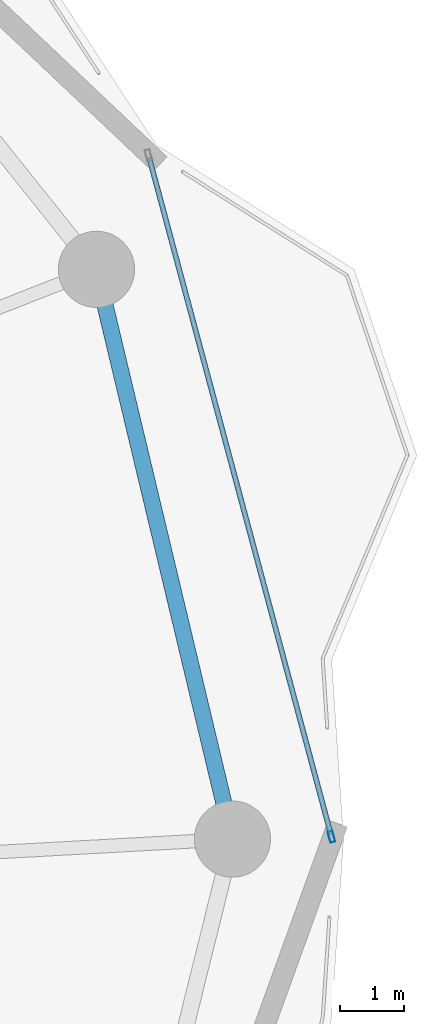
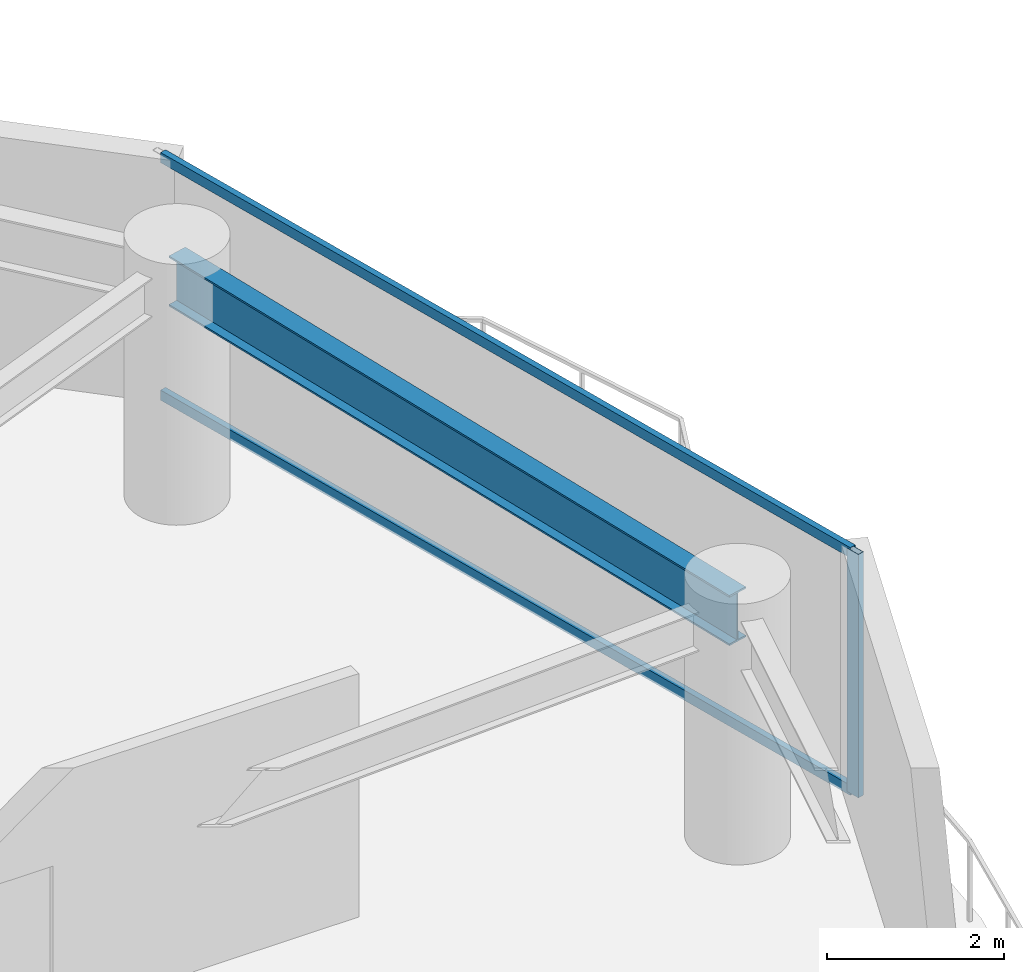
# One storey, part 15 of 28: 3 members, 1 beam, 1 element without a shape of its own.
"""IFC4 building model written with IfcOpenShell, lengths in metres."""

from ifc_helpers import new_model, si_unit, direction, frame, origin, origin_2d, place, context, subcontext, project, spatial, hollow_rectangle, i_section, extrude, material, layer, layer_set, material_profile, profile_set, type_object, element, aggregate, save


model = new_model("IFC4")

# Units and contexts
model_context = context("Model", 3, precision=1e-05, world=origin(), true_north=direction((0.0, 1.0)))
body_context = subcontext(model_context, "Body", "Model", "MODEL_VIEW")
ifc_project = project(units=[si_unit("LENGTHUNIT", "METRE"), si_unit("AREAUNIT", "SQUARE_METRE"), si_unit("VOLUMEUNIT", "CUBIC_METRE"), si_unit("PLANEANGLEUNIT", "RADIAN"), si_unit("MASSUNIT", "GRAM", prefix="KILO")], contexts=[model_context])

# Site, building, storey
site_placement = place(None, origin())
site = spatial("IfcSite", under=ifc_project, at=site_placement, CompositionType="ELEMENT")
building_placement = place(site_placement, origin())
building = spatial("IfcBuilding", under=site, at=building_placement, Name="Kazevale Care Tower and Concert Hall", CompositionType="ELEMENT")
storey_placement = place(building_placement, frame((0.0, 0.0, 138.60009765625)))
storey = spatial("IfcBuildingStorey", under=building, at=storey_placement, Name="L36", CompositionType="ELEMENT", Elevation=138.60009765625)

# Curtain wall, members
ifc_material_1 = material(Name="Aluminium 6063-T6 and Low-E Glass", Category="aluminium")
ifc_layer = layer(ifc_material_1, 0.179931640625)
ifc_layer_set = layer_set([ifc_layer], Name="Aluminium 6063-T6 and Low-E Glass")
curtain_wall_type = type_object("IfcCurtainWallType", Name="Waist & Upper Residential Curtain Wall CW-4", PredefinedType="NOTDEFINED", material=ifc_layer_set)
curtain_wall_placement = place(storey_placement, origin())
curtain_wall = element("IfcCurtainWall", 1, at=curtain_wall_placement, inside=storey, type_object=curtain_wall_type, Name="cw:L36:f18", PredefinedType="NOTDEFINED")
ifc_material_2 = material(Name="Aluminium 6063-T6", Category="aluminium")
ifc_material_profile_1 = material_profile(ifc_material_2, hollow_rectangle(XDim=0.080078125, YDim=0.179931640625, WallThickness=0.0048828125, at=origin_2d()), Name="ALU80x180x5")
ifc_profile_set_1 = profile_set([ifc_material_profile_1], Name="Aluminium 6063-T6")
member_type_1 = type_object("IfcMemberType", Name="CW-4 Mullion ALU80x180x5", PredefinedType="MULLION", material=ifc_profile_set_1)
member_1_placement = place(storey_placement, frame((74.609619140625, 38.03857421875, 0.0), z_axis=(0.0, 0.0, 1.0), x_axis=(0.965806263229, 0.259264848961, 0.0)))
member_1 = element("IfcMember", 2, at=member_1_placement, type_object=member_type_1, Name="CW-4 mullion 2", PredefinedType="MULLION", context=body_context, shape_type="SweptSolid", body=[
    extrude(hollow_rectangle(XDim=0.080078125, YDim=0.179931640625, WallThickness=0.0048828125, at=origin_2d()), origin(), (0.0, 0.0, 1.0), 3.35986328125),
])
ifc_material_profile_2 = material_profile(ifc_material_2, hollow_rectangle(XDim=0.080078125, YDim=0.139892578125, WallThickness=0.00390625, at=origin_2d()), Name="ALU80x140x4")
ifc_profile_set_2 = profile_set([ifc_material_profile_2], Name="Aluminium 6063-T6")
member_type_2 = type_object("IfcMemberType", Name="CW-4 Transom ALU80x140x4", PredefinedType="USERDEFINED", material=ifc_profile_set_2)
member_2_placement = place(storey_placement, frame((71.74072265625, 48.725830078125, 0.039794921875), z_axis=(0.259270636335, -0.965804709625, 0.0), x_axis=(0.965804709625, 0.259270636335, 0.0)))
member_2 = element("IfcMember", 3, at=member_2_placement, type_object=member_type_2, Name="CW-4 transom 1.1", ObjectType="TRANSOM", PredefinedType="USERDEFINED", context=body_context, shape_type="SweptSolid", body=[
    extrude(hollow_rectangle(XDim=0.080078125, YDim=0.139892578125, WallThickness=0.00390625, at=origin_2d()), origin(), (0.0, 0.0, 1.0), 11.025634765625),
])
member_3_placement = place(storey_placement, frame((71.74072265625, 48.725830078125, 3.31982421875), z_axis=(0.259270636335, -0.965804709625, 0.0), x_axis=(0.965804709625, 0.259270636335, 0.0)))
member_3 = element("IfcMember", 4, at=member_3_placement, type_object=member_type_2, Name="CW-4 transom 1.2", ObjectType="TRANSOM", PredefinedType="USERDEFINED", context=body_context, shape_type="SweptSolid", body=[
    extrude(hollow_rectangle(XDim=0.080078125, YDim=0.139892578125, WallThickness=0.00390625, at=origin_2d()), origin(), (0.0, 0.0, 1.0), 11.025634765625),
])
aggregate(curtain_wall, [member_1, member_2, member_3])

# Beam
ifc_material_3 = material(Name="Steel ASTM A572 Gr 50", Category="steel")
ifc_material_profile_3 = material_profile(ifc_material_3, i_section(OverallWidth=0.256103515625, OverallDepth=0.693115234375, WebThickness=0.014404296875, FlangeThickness=0.023681640625, at=origin_2d()), Name="W690x170")
ifc_profile_set_3 = profile_set([ifc_material_profile_3], Name="Steel ASTM A572 Gr 50")
beam_type = type_object("IfcBeamType", Name="Waist Ring Beam W690x170", PredefinedType="BEAM", material=ifc_profile_set_3)
beam_placement = place(storey_placement, frame((73.050048828125, 38.0, 3.013427734375), z_axis=(-0.232075055882, 0.972697881378, 0.0), x_axis=(-0.972697881378, -0.232075055882, 0.0)))
element("IfcBeam", 5, at=beam_placement, inside=storey, type_object=beam_type, Name="beam:L36:ring:01", PredefinedType="BEAM", context=body_context, shape_type="SweptSolid", body=[
    extrude(i_section(OverallWidth=0.256103515625, OverallDepth=0.693115234375, WebThickness=0.014404296875, FlangeThickness=0.023681640625, at=origin_2d()), origin(), (0.0, 0.0, 1.0), 9.2216796875),
])

save(model, "model.ifc")
